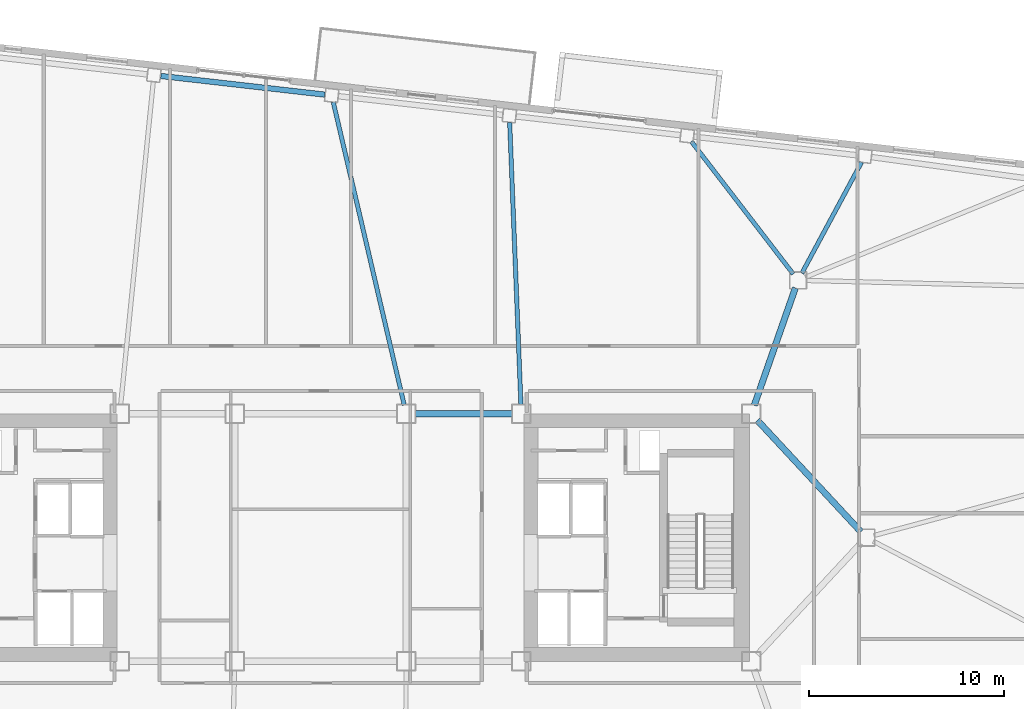
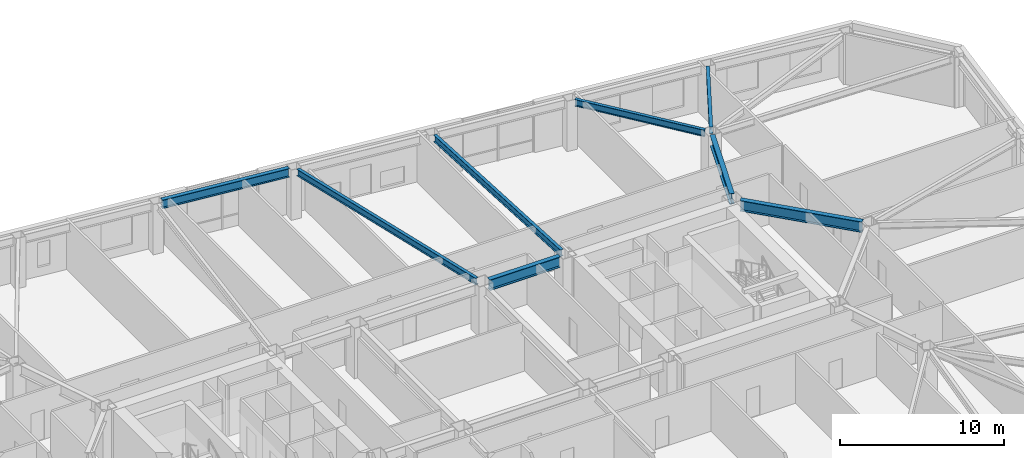
# One storey, part 7 of 21: 8 beams.
"""IFC4 building model written with IfcOpenShell, lengths in metres."""

from ifc_helpers import new_model, si_unit, direction, frame, origin, origin_2d, place, context, subcontext, project, spatial, i_section, extrude, material, material_profile, profile_set, type_object, element, save


model = new_model("IFC4")

# Units and contexts
model_context = context("Model", 3, precision=1e-05, world=origin(), true_north=direction((0.0, 1.0)))
body_context = subcontext(model_context, "Body", "Model", "MODEL_VIEW")
ifc_project = project(units=[si_unit("LENGTHUNIT", "METRE"), si_unit("AREAUNIT", "SQUARE_METRE"), si_unit("VOLUMEUNIT", "CUBIC_METRE"), si_unit("PLANEANGLEUNIT", "RADIAN"), si_unit("MASSUNIT", "GRAM", prefix="KILO")], contexts=[model_context])

# Site, building, storey
site_placement = place(None, origin())
site = spatial("IfcSite", under=ifc_project, at=site_placement, CompositionType="ELEMENT")
building_placement = place(site_placement, origin())
building = spatial("IfcBuilding", under=site, at=building_placement, Name="Tavrogorsk Clinical Tower", CompositionType="ELEMENT")
storey_placement = place(building_placement, frame((0.0, 0.0, 125.39990234375)))
storey = spatial("IfcBuildingStorey", under=building, at=storey_placement, Name="L28", CompositionType="ELEMENT", Elevation=125.39990234375)

# Beams
ifc_material_1 = material(Name="Structural steel S355", Category="steel")
ifc_material_profile_1 = material_profile(ifc_material_1, i_section(OverallWidth=0.219970703125, OverallDepth=0.5, WebThickness=0.012939453125, FlangeThickness=0.02001953125, at=origin_2d()), Name="B-500x220x13x20")
ifc_profile_set_1 = profile_set([ifc_material_profile_1], Name="Structural steel S355")
beam_type_1 = type_object("IfcBeamType", Name="FloorBeam_B500", PredefinedType="BEAM", material=ifc_profile_set_1)
beam_1_placement = place(storey_placement, frame((24.6943359375, 13.56103515625, 3.489990234375), z_axis=(0.473788919736, 0.880638438597, 0.0), x_axis=(-0.880638438597, 0.473788919736, 0.0)))
element("IfcBeam", 1, at=beam_1_placement, inside=storey, type_object=beam_type_1, Name="L28 Radial Floor Beam N2", PredefinedType="BEAM", context=body_context, shape_type="SweptSolid", body=[
    extrude(i_section(OverallWidth=0.219970703125, OverallDepth=0.5, WebThickness=0.012939453125, FlangeThickness=0.02001953125, at=origin_2d()), origin(), (0.0, 0.0, 1.0), 6.462890625),
])
beam_2_placement = place(storey_placement, frame((24.250244140625, 13.525146484375, 3.489990234375), z_axis=(-0.609376288757, 0.792881163038, 0.0), x_axis=(-0.792881163038, -0.609376288757, 0.0)))
element("IfcBeam", 2, at=beam_2_placement, inside=storey, type_object=beam_type_1, Name="L28 Radial Floor Beam N3", PredefinedType="BEAM", context=body_context, shape_type="SweptSolid", body=[
    extrude(i_section(OverallWidth=0.219970703125, OverallDepth=0.5, WebThickness=0.012939453125, FlangeThickness=0.02001953125, at=origin_2d()), origin(), (0.0, 0.0, 1.0), 8.5732421875),
])
beam_3_placement = place(storey_placement, frame((10.28173828125, 6.8095703125, 3.489990234375), z_axis=(-0.039881908424, 0.999204400201, 0.0), x_axis=(-0.999204400201, -0.039881908424, 0.0)))
element("IfcBeam", 3, at=beam_3_placement, inside=storey, type_object=beam_type_1, Name="L28 Radial Floor Beam N4", PredefinedType="BEAM", context=body_context, shape_type="SweptSolid", body=[
    extrude(i_section(OverallWidth=0.219970703125, OverallDepth=0.5, WebThickness=0.012939453125, FlangeThickness=0.02001953125, at=origin_2d()), origin(), (0.0, 0.0, 1.0), 14.48974609375),
])
beam_4_placement = place(storey_placement, frame((4.294921875, 6.7978515625, 3.489990234375), z_axis=(-0.228197667081, 0.973614823603, 0.0), x_axis=(-0.973614823603, -0.228197667081, 0.0)))
element("IfcBeam", 4, at=beam_4_placement, inside=storey, type_object=beam_type_1, Name="L28 Radial Floor Beam N5", PredefinedType="BEAM", context=body_context, shape_type="SweptSolid", body=[
    extrude(i_section(OverallWidth=0.219970703125, OverallDepth=0.5, WebThickness=0.012939453125, FlangeThickness=0.02001953125, at=origin_2d()), origin(), (0.0, 0.0, 1.0), 15.959228515625),
])
ifc_material_2 = material(Name="Structural steel S390", Category="steel")
ifc_material_profile_2 = material_profile(ifc_material_2, i_section(OverallWidth=0.320068359375, OverallDepth=0.800048828125, WebThickness=0.02001953125, FlangeThickness=0.033935546875, at=origin_2d()), Name="B-800x320x20x34")
ifc_profile_set_2 = profile_set([ifc_material_profile_2], Name="Structural steel S390")
beam_type_2 = type_object("IfcBeamType", Name="PrimaryGirder_B800", PredefinedType="USERDEFINED", material=ifc_profile_set_2)
beam_5_placement = place(storey_placement, frame((4.860107421875, 6.35009765625, 3.340087890625), z_axis=(1.0, 0.0, 0.0), x_axis=(0.0, 1.0, 0.0)))
element("IfcBeam", 5, at=beam_5_placement, inside=storey, type_object=beam_type_2, Name="L28 Primary Spine Girder MG-06", ObjectType="GIRDER", PredefinedType="USERDEFINED", context=body_context, shape_type="SweptSolid", body=[
    extrude(i_section(OverallWidth=0.320068359375, OverallDepth=0.800048828125, WebThickness=0.02001953125, FlangeThickness=0.033935546875, at=origin_2d()), origin(), (0.0, 0.0, 1.0), 4.97998046875),
])
beam_6_placement = place(storey_placement, frame((24.364501953125, 12.81298828125, 3.340087890625), z_axis=(-0.330660234815, -0.943749865755, 0.0), x_axis=(0.943749865755, -0.330660234815, 0.0)))
element("IfcBeam", 6, at=beam_6_placement, inside=storey, type_object=beam_type_2, Name="L28 Spine Link Girder OPG-4", ObjectType="GIRDER", PredefinedType="USERDEFINED", context=body_context, shape_type="SweptSolid", body=[
    extrude(i_section(OverallWidth=0.320068359375, OverallDepth=0.800048828125, WebThickness=0.02001953125, FlangeThickness=0.033935546875, at=origin_2d()), origin(), (0.0, 0.0, 1.0), 6.38818359375),
])
beam_7_placement = place(storey_placement, frame((27.720947265625, 0.30029296875, 3.340087890625), z_axis=(-0.680675630035, 0.732584934787, 0.0), x_axis=(-0.732584934787, -0.680675630035, 0.0)))
element("IfcBeam", 7, at=beam_7_placement, inside=storey, type_object=beam_type_2, Name="L28 Spine Link Girder OPG-8", ObjectType="GIRDER", PredefinedType="USERDEFINED", context=body_context, shape_type="SweptSolid", body=[
    extrude(i_section(OverallWidth=0.320068359375, OverallDepth=0.800048828125, WebThickness=0.02001953125, FlangeThickness=0.033935546875, at=origin_2d()), origin(), (0.0, 0.0, 1.0), 7.7978515625),
])
ifc_material_3 = material(Name="Structural steel S390", Category="steel")
ifc_material_profile_3 = material_profile(ifc_material_3, i_section(OverallWidth=0.280029296875, OverallDepth=0.64990234375, WebThickness=0.01611328125, FlangeThickness=0.02490234375, at=origin_2d()), Name="B-650x280x16x25")
ifc_profile_set_3 = profile_set([ifc_material_profile_3], Name="Structural steel S390")
beam_type_3 = type_object("IfcBeamType", Name="SpandrelBeam_B650", PredefinedType="SPANDREL", material=ifc_profile_set_3)
beam_8_placement = place(storey_placement, frame((0.2158203125, 22.724853515625, 3.4150390625), z_axis=(-0.993569819641, 0.113221082395, 0.0), x_axis=(-0.113221082395, -0.993569819641, 0.0)))
element("IfcBeam", 8, at=beam_8_placement, inside=storey, type_object=beam_type_3, Name="L28 Perimeter Spandrel N5-N6", PredefinedType="SPANDREL", context=body_context, shape_type="SweptSolid", body=[
    extrude(i_section(OverallWidth=0.280029296875, OverallDepth=0.64990234375, WebThickness=0.01611328125, FlangeThickness=0.02490234375, at=origin_2d()), origin(), (0.0, 0.0, 1.0), 8.46142578125),
])

save(model, "model.ifc")
